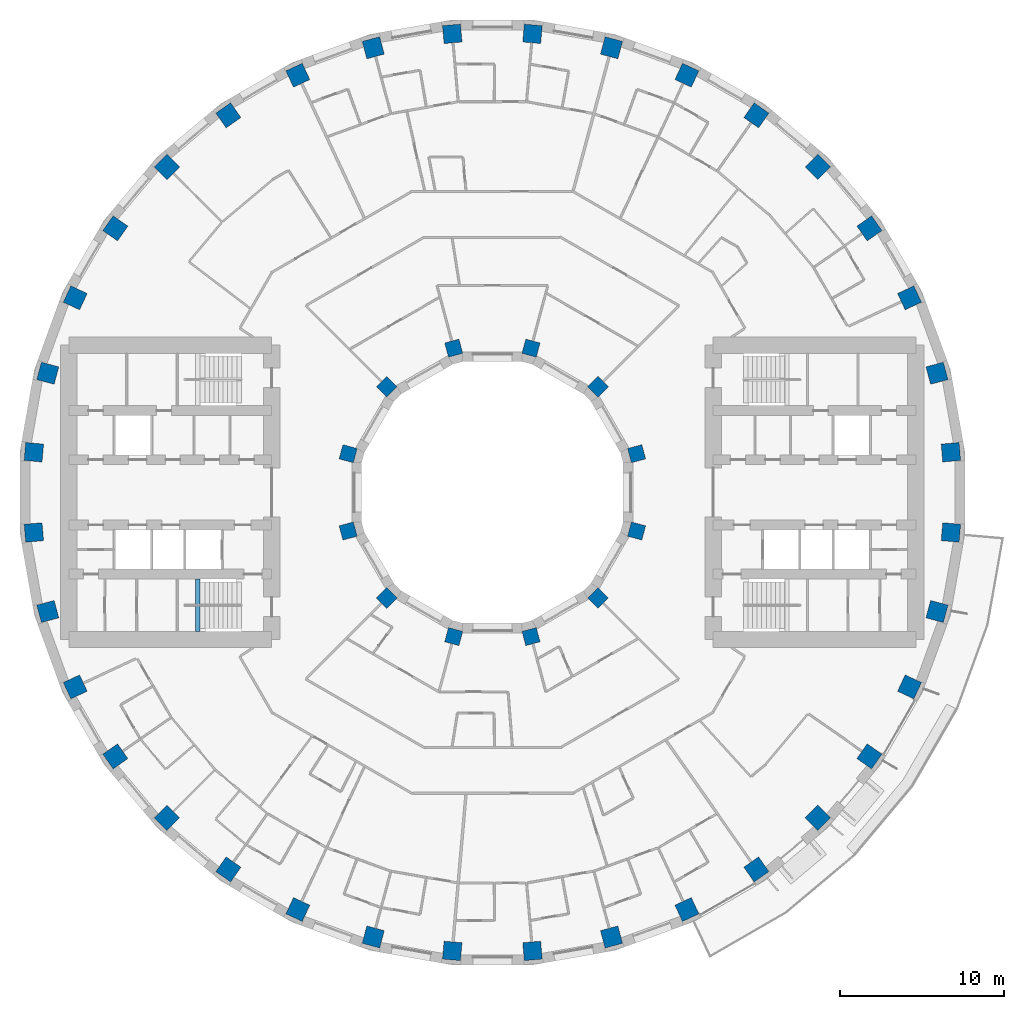
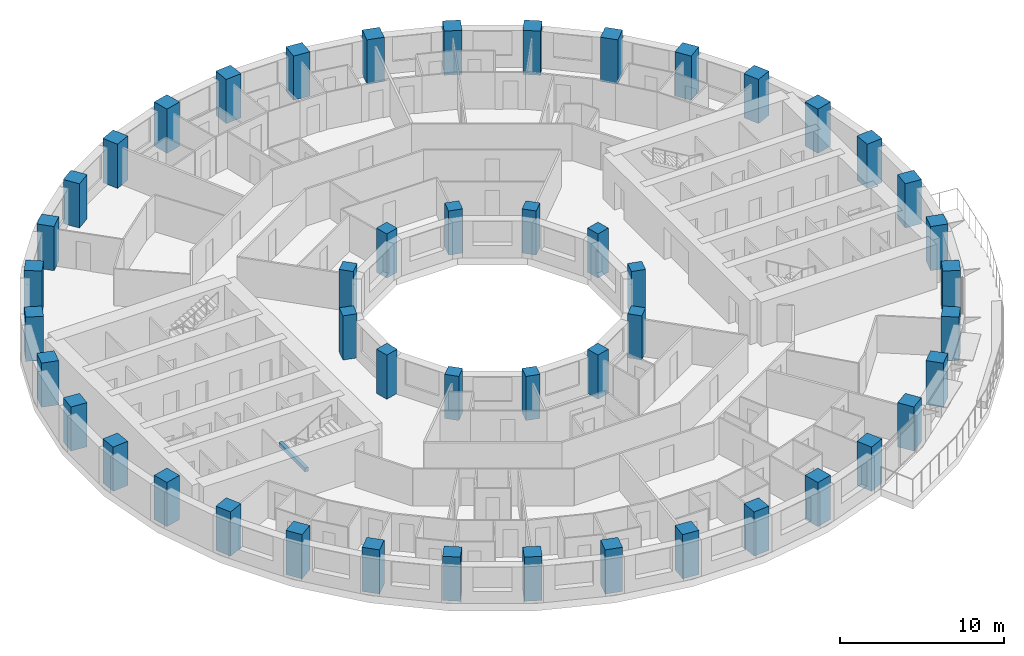
# One storey, part 1 of 15: 48 columns, 1 beam.
"""IFC4 building model written with IfcOpenShell, lengths in metres."""

from ifc_helpers import new_model, si_unit, direction, frame, origin, origin_2d, place, context, subcontext, project, spatial, rectangle, extrude, material, material_profile, profile_set, type_object, element, save


model = new_model("IFC4")

# Units and contexts
model_context = context("Model", 3, precision=1e-05, world=origin(), true_north=direction((0.0, 1.0)))
body_context = subcontext(model_context, "Body", "Model", "MODEL_VIEW")
ifc_project = project(units=[si_unit("LENGTHUNIT", "METRE"), si_unit("AREAUNIT", "SQUARE_METRE"), si_unit("VOLUMEUNIT", "CUBIC_METRE"), si_unit("PLANEANGLEUNIT", "RADIAN"), si_unit("MASSUNIT", "GRAM", prefix="KILO")], contexts=[model_context])

# Site, building, storey
site_placement = place(None, origin())
site = spatial("IfcSite", under=ifc_project, at=site_placement, CompositionType="ELEMENT")
building_placement = place(site_placement, origin())
building = spatial("IfcBuilding", under=site, at=building_placement, Name="Saqina Gate Tower", CompositionType="ELEMENT")
storey_placement = place(building_placement, frame((0.0, 0.0, 39.5)))
storey = spatial("IfcBuildingStorey", under=building, at=storey_placement, Name="L10", CompositionType="ELEMENT", Elevation=39.5)

# Columns
ifc_material_1 = material(Name="Concrete C70/85", Category="concrete")
ifc_material_profile_1 = material_profile(ifc_material_1, rectangle(XDim=0.89990234375, YDim=0.89990234375, at=origin_2d()), Name="RC 900x900")
ifc_profile_set_1 = profile_set([ifc_material_profile_1], Name="Concrete C70/85")
column_type_1 = type_object("IfcColumnType", Name="STR-COL-IN-A", PredefinedType="COLUMN", material=ifc_profile_set_1)
for number, where, z_axis, x_axis, name in (
    (1, (8.821044921875, 2.363525390625, 0.0), (0.0, 0.0, 1.0), (0.965925826289, 0.258819045103, 0.0), "L10-ICL01"),
    (2, (6.45751953125, 6.45751953125, 0.0), (0.0, 0.0, 1.0), (0.707106781187, 0.707106781187, 0.0), "L10-ICL02"),
    (3, (2.363525390625, 8.821044921875, 0.0), (0.0, 0.0, 1.0), (0.258819045103, 0.965925826289, 0.0), "L10-ICL03"),
    (4, (-2.363525390625, 8.821044921875, 0.0), (0.0, 0.0, 1.0), (-0.258819045103, 0.965925826289, 0.0), "L10-ICL04"),
    (5, (-6.45751953125, 6.45751953125, 0.0), (0.0, 0.0, 1.0), (-0.707106781187, 0.707106781187, 0.0), "L10-ICL05"),
    (6, (-8.821044921875, 2.363525390625, 0.0), (0.0, 0.0, 1.0), (-0.965925826289, 0.258819045103, 0.0), "L10-ICL06"),
    (7, (-8.821044921875, -2.363525390625, 0.0), (0.0, 0.0, 1.0), (-0.965925826289, -0.258819045103, 0.0), "L10-ICL07"),
    (8, (-6.45751953125, -6.45751953125, 0.0), (0.0, 0.0, 1.0), (-0.707106781187, -0.707106781187, 0.0), "L10-ICL08"),
    (9, (-2.363525390625, -8.821044921875, 0.0), (0.0, 0.0, 1.0), (-0.258819045103, -0.965925826289, 0.0), "L10-ICL09"),
    (10, (2.363525390625, -8.821044921875, 0.0), (0.0, 0.0, 1.0), (0.258819045103, -0.965925826289, 0.0), "L10-ICL10"),
    (11, (6.45751953125, -6.45751953125, 0.0), (0.0, 0.0, 1.0), (0.707106781187, -0.707106781187, 0.0), "L10-ICL11"),
    (12, (8.821044921875, -2.363525390625, 0.0), (0.0, 0.0, 1.0), (0.965925826289, -0.258819045103, 0.0), "L10-ICL12"),
):
    element("IfcColumn", number, at=place(storey_placement, frame(where, z_axis=z_axis, x_axis=x_axis)), inside=storey, type_object=column_type_1, Name=name, PredefinedType="COLUMN", context=body_context, shape_type="SweptSolid", body=[
        extrude(rectangle(XDim=0.89990234375, YDim=0.89990234375, at=origin_2d()), origin(), (0.0, 0.0, 1.0), 3.300048828125),
    ])
ifc_material_2 = material(Name="Concrete C70/85", Category="concrete")
ifc_material_profile_2 = material_profile(ifc_material_2, rectangle(XDim=1.10009765625, YDim=1.10009765625, at=origin_2d()), Name="RC 1100x1100")
ifc_profile_set_2 = profile_set([ifc_material_profile_2], Name="Concrete C70/85")
column_type_2 = type_object("IfcColumnType", Name="STR-COL-OUT-A", PredefinedType="COLUMN", material=ifc_profile_set_2)
for number, where, z_axis, x_axis, name in (
    (13, (28.04296875, 2.453369140625, 0.0), (0.0, 0.0, 1.0), (0.996194698092, 0.087155742748, 0.0), "L10-COL01"),
    (14, (27.19091796875, 7.28564453125, 0.0), (0.0, 0.0, 1.0), (0.965925826289, 0.258819045103, 0.0), "L10-COL02"),
    (15, (25.512451171875, 11.896728515625, 0.0), (0.0, 0.0, 1.0), (0.906307787037, 0.422618261741, 0.0), "L10-COL03"),
    (16, (23.05908203125, 16.146240234375, 0.0), (0.0, 0.0, 1.0), (0.819152044289, 0.573576436351, 0.0), "L10-COL04"),
    (17, (19.905029296875, 19.905029296875, 0.0), (0.0, 0.0, 1.0), (0.707106781187, 0.707106781187, 0.0), "L10-COL05"),
    (18, (16.146240234375, 23.05908203125, 0.0), (0.0, 0.0, 1.0), (0.573576436351, 0.819152044289, 0.0), "L10-COL06"),
    (19, (11.896728515625, 25.512451171875, 0.0), (0.0, 0.0, 1.0), (0.422618261741, 0.906307787037, 0.0), "L10-COL07"),
    (20, (7.28564453125, 27.19091796875, 0.0), (0.0, 0.0, 1.0), (0.258819045103, 0.965925826289, 0.0), "L10-COL08"),
    (21, (2.453369140625, 28.04296875, 0.0), (0.0, 0.0, 1.0), (0.087155742748, 0.996194698092, 0.0), "L10-COL09"),
    (22, (-2.453369140625, 28.04296875, 0.0), (0.0, 0.0, 1.0), (-0.087155742748, 0.996194698092, 0.0), "L10-COL10"),
    (23, (-7.28564453125, 27.19091796875, 0.0), (0.0, 0.0, 1.0), (-0.258819045103, 0.965925826289, 0.0), "L10-COL11"),
    (24, (-11.896728515625, 25.512451171875, 0.0), (0.0, 0.0, 1.0), (-0.422618261741, 0.906307787037, 0.0), "L10-COL12"),
    (25, (-16.146240234375, 23.05908203125, 0.0), (0.0, 0.0, 1.0), (-0.573576436351, 0.819152044289, 0.0), "L10-COL13"),
    (26, (-19.905029296875, 19.905029296875, 0.0), (0.0, 0.0, 1.0), (-0.707106781187, 0.707106781187, 0.0), "L10-COL14"),
    (27, (-23.05908203125, 16.146240234375, 0.0), (0.0, 0.0, 1.0), (-0.819152044289, 0.573576436351, 0.0), "L10-COL15"),
    (28, (-25.512451171875, 11.896728515625, 0.0), (0.0, 0.0, 1.0), (-0.906307787037, 0.422618261741, 0.0), "L10-COL16"),
    (29, (-27.19091796875, 7.28564453125, 0.0), (0.0, 0.0, 1.0), (-0.965925826289, 0.258819045103, 0.0), "L10-COL17"),
    (30, (-28.04296875, 2.453369140625, 0.0), (0.0, 0.0, 1.0), (-0.996194698092, 0.087155742748, 0.0), "L10-COL18"),
    (31, (-28.04296875, -2.453369140625, 0.0), (0.0, 0.0, 1.0), (-0.996194698092, -0.087155742748, 0.0), "L10-COL19"),
    (32, (-27.19091796875, -7.28564453125, 0.0), (0.0, 0.0, 1.0), (-0.965925826289, -0.258819045103, 0.0), "L10-COL20"),
    (33, (-25.512451171875, -11.896728515625, 0.0), (0.0, 0.0, 1.0), (-0.906307787037, -0.422618261741, 0.0), "L10-COL21"),
    (34, (-23.05908203125, -16.146240234375, 0.0), (0.0, 0.0, 1.0), (-0.819152044289, -0.573576436351, 0.0), "L10-COL22"),
    (35, (-19.905029296875, -19.905029296875, 0.0), (0.0, 0.0, 1.0), (-0.707106781187, -0.707106781187, 0.0), "L10-COL23"),
    (36, (-16.146240234375, -23.05908203125, 0.0), (0.0, 0.0, 1.0), (-0.573576436351, -0.819152044289, 0.0), "L10-COL24"),
    (37, (-11.896728515625, -25.512451171875, 0.0), (0.0, 0.0, 1.0), (-0.422618261741, -0.906307787037, 0.0), "L10-COL25"),
    (38, (-7.28564453125, -27.19091796875, 0.0), (0.0, 0.0, 1.0), (-0.258819045103, -0.965925826289, 0.0), "L10-COL26"),
    (39, (-2.453369140625, -28.04296875, 0.0), (0.0, 0.0, 1.0), (-0.087155742748, -0.996194698092, 0.0), "L10-COL27"),
    (40, (2.453369140625, -28.04296875, 0.0), (0.0, 0.0, 1.0), (0.087155742748, -0.996194698092, 0.0), "L10-COL28"),
    (41, (7.28564453125, -27.19091796875, 0.0), (0.0, 0.0, 1.0), (0.258819045103, -0.965925826289, 0.0), "L10-COL29"),
    (42, (11.896728515625, -25.512451171875, 0.0), (0.0, 0.0, 1.0), (0.422618261741, -0.906307787037, 0.0), "L10-COL30"),
    (43, (16.146240234375, -23.05908203125, 0.0), (0.0, 0.0, 1.0), (0.573576436351, -0.819152044289, 0.0), "L10-COL31"),
    (44, (19.905029296875, -19.905029296875, 0.0), (0.0, 0.0, 1.0), (0.707106781187, -0.707106781187, 0.0), "L10-COL32"),
    (45, (23.05908203125, -16.146240234375, 0.0), (0.0, 0.0, 1.0), (0.819152044289, -0.573576436351, 0.0), "L10-COL33"),
    (46, (25.512451171875, -11.896728515625, 0.0), (0.0, 0.0, 1.0), (0.906307787037, -0.422618261741, 0.0), "L10-COL34"),
    (47, (27.19091796875, -7.28564453125, 0.0), (0.0, 0.0, 1.0), (0.965925826289, -0.258819045103, 0.0), "L10-COL35"),
    (48, (28.04296875, -2.453369140625, 0.0), (0.0, 0.0, 1.0), (0.996194698092, -0.087155742748, 0.0), "L10-COL36"),
):
    element("IfcColumn", number, at=place(storey_placement, frame(where, z_axis=z_axis, x_axis=x_axis)), inside=storey, type_object=column_type_2, Name=name, PredefinedType="COLUMN", context=body_context, shape_type="SweptSolid", body=[
        extrude(rectangle(XDim=1.10009765625, YDim=1.10009765625, at=origin_2d()), origin(), (0.0, 0.0, 1.0), 3.300048828125),
    ])

# Beam
ifc_material_3 = material(Name="Concrete C40/50", Category="concrete")
ifc_material_profile_3 = material_profile(ifc_material_3, rectangle(XDim=0.25, YDim=0.300048828125, at=origin_2d()), Name="STAIR LANDING BEAM")
ifc_profile_set_3 = profile_set([ifc_material_profile_3], Name="Concrete C40/50")
beam_type = type_object("IfcBeamType", Name="STAIR LANDING BEAM", PredefinedType="BEAM", material=ifc_profile_set_3)
beam_placement = place(storey_placement, frame((-18.02001953125, -8.5, 1.25), z_axis=(0.0, 1.0, 0.0), x_axis=(-1.0, 0.0, 0.0)))
element("IfcBeam", 49, at=beam_placement, inside=storey, type_object=beam_type, Name="EXIT STAIR 4 LANDING BEAM", PredefinedType="BEAM", context=body_context, shape_type="SweptSolid", body=[
    extrude(rectangle(XDim=0.25, YDim=0.300048828125, at=origin_2d()), origin(), (0.0, 0.0, 1.0), 3.199951171875),
])

save(model, "model.ifc")
